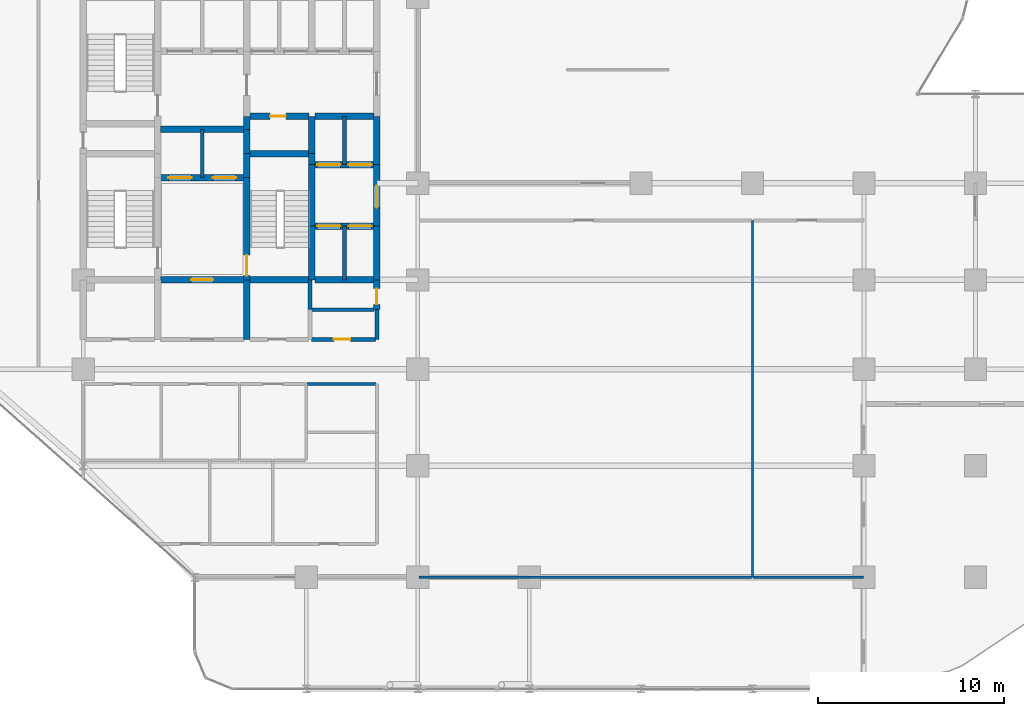
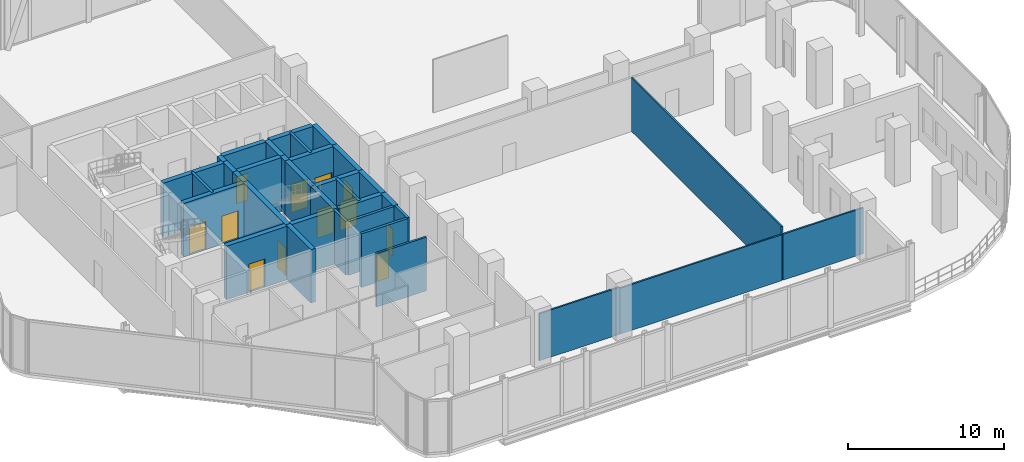
# One storey, part 27 of 30: 35 walls, 12 doors, 12 openings.
"""IFC4 building model written with IfcOpenShell, lengths in metres."""

from ifc_helpers import new_model, si_unit, direction, frame, frame_2d, origin, place, context, subcontext, project, spatial, rectangle, extrude, material, layer, layer_set, type_object, element, fill, save


model = new_model("IFC4")

# Units and contexts
model_context = context("Model", 3, precision=1e-05, world=origin(), true_north=direction((0.0, 1.0)))
body_context = subcontext(model_context, "Body", "Model", "MODEL_VIEW")
ifc_project = project(units=[si_unit("LENGTHUNIT", "METRE"), si_unit("AREAUNIT", "SQUARE_METRE"), si_unit("VOLUMEUNIT", "CUBIC_METRE"), si_unit("PLANEANGLEUNIT", "RADIAN"), si_unit("MASSUNIT", "GRAM", prefix="KILO")], contexts=[model_context])

# Site, building, storey
site_placement = place(None, origin())
site = spatial("IfcSite", under=ifc_project, at=site_placement, CompositionType="ELEMENT")
building_placement = place(site_placement, origin())
building = spatial("IfcBuilding", under=site, at=building_placement, Name="Keshet Zoharim Tower", CompositionType="ELEMENT")
storey_placement = place(building_placement, frame((0.0, 0.0, 65.60009765625)))
storey = spatial("IfcBuildingStorey", under=building, at=storey_placement, Name="L15", CompositionType="ELEMENT", Elevation=65.60009765625)

# Walls
ifc_material_1 = material(Name="Gypsum Plasterboard", Category="gypsum")
ifc_layer_1 = layer(ifc_material_1, 0.14990234375)
ifc_layer_set_1 = layer_set([ifc_layer_1], Name="Gypsum Plasterboard")
wall_type_1 = type_object("IfcWallType", Name="WL-CLIN-150", PredefinedType="STANDARD", material=ifc_layer_set_1)
wall_1_placement = place(storey_placement, frame((27.044921875, 17.10009765625, 0.0), z_axis=(0.0, 0.0, 1.0), x_axis=(1.0, 0.0, 0.0)))
element("IfcWall", 1, at=wall_1_placement, inside=storey, type_object=wall_type_1, Name="L15 Interior Wall 068", PredefinedType="STANDARD", context=body_context, shape_type="SweptSolid", body=[
    extrude(rectangle(XDim=3.695068359375, YDim=0.14990234375, at=frame_2d((1.84765625, 0.0))), origin(), (0.0, 0.0, 1.0), 4.184814453125),
])
ifc_material_2 = material(Name="Concrete C60/75", Category="concrete")
ifc_layer_2 = layer(ifc_material_2, 0.35009765625)
ifc_layer_set_2 = layer_set([ifc_layer_2], Name="Concrete C60/75")
wall_type_2 = type_object("IfcWallType", Name="WL-CORE-350", PredefinedType="SHEAR", material=ifc_layer_set_2)
wall_2_placement = place(storey_placement, frame((23.800048828125, 19.5, 0.0), z_axis=(0.0, 0.0, 1.0), x_axis=(0.0, 1.0, 0.0)))
element("IfcWall", 2, at=wall_2_placement, inside=storey, type_object=wall_type_2, Name="L15 Core Shear Wall 020", PredefinedType="SHEAR", context=body_context, shape_type="SweptSolid", body=[
    extrude(rectangle(XDim=3.199951171875, YDim=0.35009765625, at=frame_2d((1.60009765625, 0.0))), origin(), (0.0, 0.0, 1.0), 4.184814453125),
])

# Wall, opening, door
wall_3_placement = place(storey_placement, frame((23.800048828125, 22.699951171875, 0.0), z_axis=(0.0, 0.0, 1.0), x_axis=(0.0, 1.0, 0.0)))
wall_3 = element("IfcWall", 3, at=wall_3_placement, inside=storey, type_object=wall_type_2, Name="L15 Core Shear Wall 021", PredefinedType="SHEAR", context=body_context, shape_type="SweptSolid", body=[
    extrude(rectangle(XDim=5.5, YDim=0.35009765625, at=frame_2d((2.75, 0.0))), origin(), (0.0, 0.0, 1.0), 4.184814453125),
])
opening_1_placement = place(wall_3_placement, frame((0.235107421875, 0.0, 0.0)))
opening_1 = element("IfcOpeningElement", 4, at=opening_1_placement, cuts=wall_3, Name="Opening D-F611", PredefinedType="OPENING", context=body_context, shape_type="SweptSolid", body=[
    extrude(rectangle(XDim=1.10009765625, YDim=2.14990234375, at=frame_2d((0.550048828125, 1.074951171875))), frame((0.0, 0.18505859375, 0.0), z_axis=(0.0, -1.0, 0.0), x_axis=(1.0, 0.0, 0.0)), (0.0, 0.0, 1.0), 0.3701171875),
])
ifc_material_3 = material(Name="Hardwood Timber", Category="wood")
door_type_1 = type_object("IfcDoorType", Name="DR-FD60-110", OperationType="NOTDEFINED", PredefinedType="DOOR", material=ifc_material_3)
door_1_placement = place(opening_1_placement, frame((1.10009765625, 0.0, 0.0), z_axis=(0.0, 0.0, 1.0), x_axis=(-1.0, 0.0, 0.0)))
door_1 = element("IfcDoor", 5, at=door_1_placement, inside=storey, type_object=door_type_1, Name="L15 Exit Stair ST-03 Fire Door", OperationType="SINGLE_SWING_LEFT", OverallHeight=2.14990234375, OverallWidth=1.10009765625, PredefinedType="DOOR", context=body_context, shape_type="SweptSolid", body=[
    extrude(rectangle(XDim=1.10009765625, YDim=2.14990234375, at=frame_2d((0.550048828125, 1.074951171875))), frame((0.0, 0.02490234375, 0.0), z_axis=(0.0, -1.0, 0.0), x_axis=(1.0, 0.0, 0.0)), (0.0, 0.0, 1.0), 0.050048828125),
])
fill(opening_1, door_1)

# Walls
for number, where, z_axis, x_axis, name in (
    (6, (23.800048828125, 28.199951171875, 0.0), (0.0, 0.0, 1.0), (0.0, 1.0, 0.0), "L15 Core Shear Wall 022"),
    (7, (23.800048828125, 29.5, 0.0), (0.0, 0.0, 1.0), (0.0, 1.0, 0.0), "L15 Core Shear Wall 023"),
):
    element("IfcWall", number, at=place(storey_placement, frame(where, z_axis=z_axis, x_axis=x_axis)), inside=storey, type_object=wall_type_2, Name=name, PredefinedType="SHEAR", context=body_context, shape_type="SweptSolid", body=[
        extrude(rectangle(XDim=1.300048828125, YDim=0.35009765625, at=frame_2d((0.64990234375, 0.0))), origin(), (0.0, 0.0, 1.0), 4.184814453125),
    ])
wall_4_placement = place(storey_placement, frame((23.800048828125, 30.800048828125, 0.0), z_axis=(0.0, 0.0, 1.0), x_axis=(0.0, 1.0, 0.0)))
element("IfcWall", 8, at=wall_4_placement, inside=storey, type_object=wall_type_2, Name="L15 Core Shear Wall 024", PredefinedType="SHEAR", context=body_context, shape_type="SweptSolid", body=[
    extrude(rectangle(XDim=0.699951171875, YDim=0.35009765625, at=frame_2d((0.35009765625, 0.0))), origin(), (0.0, 0.0, 1.0), 4.184814453125),
])
wall_5_placement = place(storey_placement, frame((27.300048828125, 22.699951171875, 0.0), z_axis=(0.0, 0.0, 1.0), x_axis=(0.0, 1.0, 0.0)))
element("IfcWall", 9, at=wall_5_placement, inside=storey, type_object=wall_type_2, Name="L15 Core Shear Wall 033", PredefinedType="SHEAR", context=body_context, shape_type="SweptSolid", body=[
    extrude(rectangle(XDim=2.900146484375, YDim=0.35009765625, at=frame_2d((1.4501953125, 0.0))), origin(), (0.0, 0.0, 1.0), 4.184814453125),
])
wall_6_placement = place(storey_placement, frame((27.300048828125, 25.60009765625, 0.0), z_axis=(0.0, 0.0, 1.0), x_axis=(0.0, 1.0, 0.0)))
element("IfcWall", 10, at=wall_6_placement, inside=storey, type_object=wall_type_2, Name="L15 Core Shear Wall 034", PredefinedType="SHEAR", context=body_context, shape_type="SweptSolid", body=[
    extrude(rectangle(XDim=3.2998046875, YDim=0.35009765625, at=frame_2d((1.64990234375, 0.0))), origin(), (0.0, 0.0, 1.0), 4.184814453125),
])
wall_7_placement = place(storey_placement, frame((27.300048828125, 28.89990234375, 0.0), z_axis=(0.0, 0.0, 1.0), x_axis=(0.0, 1.0, 0.0)))
element("IfcWall", 11, at=wall_7_placement, inside=storey, type_object=wall_type_2, Name="L15 Core Shear Wall 035", PredefinedType="SHEAR", context=body_context, shape_type="SweptSolid", body=[
    extrude(rectangle(XDim=0.60009765625, YDim=0.35009765625, at=frame_2d((0.300048828125, 0.0))), origin(), (0.0, 0.0, 1.0), 4.184814453125),
])
wall_8_placement = place(storey_placement, frame((27.300048828125, 29.5, 0.0), z_axis=(0.0, 0.0, 1.0), x_axis=(0.0, 1.0, 0.0)))
element("IfcWall", 12, at=wall_8_placement, inside=storey, type_object=wall_type_2, Name="L15 Core Shear Wall 036", PredefinedType="SHEAR", context=body_context, shape_type="SweptSolid", body=[
    extrude(rectangle(XDim=2.0, YDim=0.35009765625, at=frame_2d((1.0, 0.0))), origin(), (0.0, 0.0, 1.0), 4.184814453125),
])

# Wall, opening, door
wall_9_placement = place(storey_placement, frame((30.800048828125, 21.10009765625, 0.0), z_axis=(0.0, 0.0, 1.0), x_axis=(0.0, 1.0, 0.0)))
wall_9 = element("IfcWall", 13, at=wall_9_placement, inside=storey, type_object=wall_type_2, Name="L15 Core Shear Wall 044", PredefinedType="SHEAR", context=body_context, shape_type="SweptSolid", body=[
    extrude(rectangle(XDim=1.599853515625, YDim=0.35009765625, at=frame_2d((0.7998046875, 0.0))), origin(), (0.0, 0.0, 1.0), 4.184814453125),
])
opening_2_placement = place(wall_9_placement, frame((0.287109375, 0.0, 0.0)))
opening_2 = element("IfcOpeningElement", 14, at=opening_2_placement, cuts=wall_9, Name="Opening D-RS85", PredefinedType="OPENING", context=body_context, shape_type="SweptSolid", body=[
    extrude(rectangle(XDim=0.85009765625, YDim=2.10009765625, at=frame_2d((0.425048828125, 1.050048828125))), frame((0.0, 0.18505859375, 0.0), z_axis=(0.0, -1.0, 0.0), x_axis=(1.0, 0.0, 0.0)), (0.0, 0.0, 1.0), 0.3701171875),
])
door_type_2 = type_object("IfcDoorType", Name="DR-RIS-085", OperationType="NOTDEFINED", PredefinedType="DOOR", material=ifc_material_3)
door_2_placement = place(opening_2_placement, origin())
door_2 = element("IfcDoor", 15, at=door_2_placement, inside=storey, type_object=door_type_2, Name="L15 Linen Store Door", OperationType="SINGLE_SWING_LEFT", OverallHeight=2.10009765625, OverallWidth=0.85009765625, PredefinedType="DOOR", context=body_context, shape_type="SweptSolid", body=[
    extrude(rectangle(XDim=0.85009765625, YDim=2.10009765625, at=frame_2d((0.425048828125, 1.050048828125))), frame((0.0, 0.02490234375, 0.0), z_axis=(0.0, -1.0, 0.0), x_axis=(1.0, 0.0, 0.0)), (0.0, 0.0, 1.0), 0.050048828125),
])
fill(opening_2, door_2)

# Wall
wall_10_placement = place(storey_placement, frame((30.800048828125, 22.699951171875, 0.0), z_axis=(0.0, 0.0, 1.0), x_axis=(0.0, 1.0, 0.0)))
element("IfcWall", 16, at=wall_10_placement, inside=storey, type_object=wall_type_2, Name="L15 Core Shear Wall 045", PredefinedType="SHEAR", context=body_context, shape_type="SweptSolid", body=[
    extrude(rectangle(XDim=2.900146484375, YDim=0.35009765625, at=frame_2d((1.4501953125, 0.0))), origin(), (0.0, 0.0, 1.0), 4.184814453125),
])

# Wall, opening, door
wall_11_placement = place(storey_placement, frame((30.800048828125, 25.60009765625, 0.0), z_axis=(0.0, 0.0, 1.0), x_axis=(0.0, 1.0, 0.0)))
wall_11 = element("IfcWall", 17, at=wall_11_placement, inside=storey, type_object=wall_type_2, Name="L15 Core Shear Wall 046", PredefinedType="SHEAR", context=body_context, shape_type="SweptSolid", body=[
    extrude(rectangle(XDim=3.2998046875, YDim=0.35009765625, at=frame_2d((1.64990234375, 0.0))), origin(), (0.0, 0.0, 1.0), 4.184814453125),
])
opening_3_placement = place(wall_11_placement, frame((0.97802734375, 0.0, 0.0)))
opening_3 = element("IfcOpeningElement", 18, at=opening_3_placement, cuts=wall_11, Name="Opening D-F612", PredefinedType="OPENING", context=body_context, shape_type="SweptSolid", body=[
    extrude(rectangle(XDim=1.199951171875, YDim=2.199951171875, at=frame_2d((0.60009765625, 1.10009765625))), frame((0.0, 0.18505859375, 0.0), z_axis=(0.0, -1.0, 0.0), x_axis=(1.0, 0.0, 0.0)), (0.0, 0.0, 1.0), 0.3701171875),
])
door_type_3 = type_object("IfcDoorType", Name="DR-FD60-120", OperationType="NOTDEFINED", PredefinedType="DOOR", material=ifc_material_3)
door_3_placement = place(opening_3_placement, origin())
door_3 = element("IfcDoor", 19, at=door_3_placement, inside=storey, type_object=door_type_3, Name="L15 East Lift Lobby Fire Door", OperationType="SINGLE_SWING_RIGHT", OverallHeight=2.199951171875, OverallWidth=1.199951171875, PredefinedType="DOOR", context=body_context, shape_type="SweptSolid", body=[
    extrude(rectangle(XDim=1.199951171875, YDim=2.199951171875, at=frame_2d((0.60009765625, 1.10009765625))), frame((0.0, 0.02490234375, 0.0), z_axis=(0.0, -1.0, 0.0), x_axis=(1.0, 0.0, 0.0)), (0.0, 0.0, 1.0), 0.050048828125),
])
fill(opening_3, door_3)

# Wall
wall_12_placement = place(storey_placement, frame((30.800048828125, 28.89990234375, 0.0), z_axis=(0.0, 0.0, 1.0), x_axis=(0.0, 1.0, 0.0)))
element("IfcWall", 20, at=wall_12_placement, inside=storey, type_object=wall_type_2, Name="L15 Core Shear Wall 047", PredefinedType="SHEAR", context=body_context, shape_type="SweptSolid", body=[
    extrude(rectangle(XDim=2.60009765625, YDim=0.35009765625, at=frame_2d((1.300048828125, 0.0))), origin(), (0.0, 0.0, 1.0), 4.184814453125),
])

# Wall, opening, door
wall_13_placement = place(storey_placement, frame((19.159912109375, 22.699951171875, 0.0), z_axis=(0.0, 0.0, 1.0), x_axis=(1.0, 0.0, 0.0)))
wall_13 = element("IfcWall", 21, at=wall_13_placement, inside=storey, type_object=wall_type_2, Name="L15 Core Shear Wall 075", PredefinedType="SHEAR", context=body_context, shape_type="SweptSolid", body=[
    extrude(rectangle(XDim=4.47998046875, YDim=0.35009765625, at=frame_2d((2.239990234375, 0.0))), origin(), (0.0, 0.0, 1.0), 4.184814453125),
])
opening_4_placement = place(wall_13_placement, frame((1.639892578125, 0.0, 0.0)))
opening_4 = element("IfcOpeningElement", 22, at=opening_4_placement, cuts=wall_13, Name="Opening D-F612", PredefinedType="OPENING", context=body_context, shape_type="SweptSolid", body=[
    extrude(rectangle(XDim=1.199951171875, YDim=2.199951171875, at=frame_2d((0.60009765625, 1.10009765625))), frame((0.0, 0.18505859375, 0.0), z_axis=(0.0, -1.0, 0.0), x_axis=(1.0, 0.0, 0.0)), (0.0, 0.0, 1.0), 0.3701171875),
])
door_4_placement = place(opening_4_placement, origin())
door_4 = element("IfcDoor", 23, at=door_4_placement, inside=storey, type_object=door_type_3, Name="L15 South Core Lobby Fire Door", OperationType="SINGLE_SWING_LEFT", OverallHeight=2.199951171875, OverallWidth=1.199951171875, PredefinedType="DOOR", context=body_context, shape_type="SweptSolid", body=[
    extrude(rectangle(XDim=1.199951171875, YDim=2.199951171875, at=frame_2d((0.60009765625, 1.10009765625))), frame((0.0, 0.02490234375, 0.0), z_axis=(0.0, -1.0, 0.0), x_axis=(1.0, 0.0, 0.0)), (0.0, 0.0, 1.0), 0.050048828125),
])
fill(opening_4, door_4)

# Walls
wall_14_placement = place(storey_placement, frame((23.9599609375, 22.699951171875, 0.0), z_axis=(0.0, 0.0, 1.0), x_axis=(1.0, 0.0, 0.0)))
element("IfcWall", 24, at=wall_14_placement, inside=storey, type_object=wall_type_2, Name="L15 Core Shear Wall 076", PredefinedType="SHEAR", context=body_context, shape_type="SweptSolid", body=[
    extrude(rectangle(XDim=3.155029296875, YDim=0.35009765625, at=frame_2d((1.57763671875, 0.0))), origin(), (0.0, 0.0, 1.0), 4.184814453125),
])
wall_15_placement = place(storey_placement, frame((27.4599609375, 22.699951171875, 0.0), z_axis=(0.0, 0.0, 1.0), x_axis=(1.0, 0.0, 0.0)))
element("IfcWall", 25, at=wall_15_placement, inside=storey, type_object=wall_type_2, Name="L15 Core Shear Wall 077", PredefinedType="SHEAR", context=body_context, shape_type="SweptSolid", body=[
    extrude(rectangle(XDim=3.179931640625, YDim=0.35009765625, at=frame_2d((1.58984375, 0.0))), origin(), (0.0, 0.0, 1.0), 4.184814453125),
])

# Wall, openings, doors
wall_16_placement = place(storey_placement, frame((27.4599609375, 25.60009765625, 0.0), z_axis=(0.0, 0.0, 1.0), x_axis=(1.0, 0.0, 0.0)))
wall_16 = element("IfcWall", 26, at=wall_16_placement, inside=storey, type_object=wall_type_2, Name="L15 Core Shear Wall 078", PredefinedType="SHEAR", context=body_context, shape_type="SweptSolid", body=[
    extrude(rectangle(XDim=3.179931640625, YDim=0.35009765625, at=frame_2d((1.58984375, 0.0))), origin(), (0.0, 0.0, 1.0), 4.184814453125),
])
opening_5_placement = place(wall_16_placement, frame((0.1201171875, 0.0, 0.0)))
opening_5 = element("IfcOpeningElement", 27, at=opening_5_placement, cuts=wall_16, Name="Opening LD-01", PredefinedType="OPENING", context=body_context, shape_type="SweptSolid", body=[
    extrude(rectangle(XDim=1.25, YDim=2.199951171875, at=frame_2d((0.625, 1.10009765625))), frame((0.0, 0.18505859375, 0.0), z_axis=(0.0, -1.0, 0.0), x_axis=(1.0, 0.0, 0.0)), (0.0, 0.0, 1.0), 0.3701171875),
])
opening_6_placement = place(wall_16_placement, frame((1.81005859375, 0.0, 0.0)))
opening_6 = element("IfcOpeningElement", 28, at=opening_6_placement, cuts=wall_16, Name="Opening LD-01", PredefinedType="OPENING", context=body_context, shape_type="SweptSolid", body=[
    extrude(rectangle(XDim=1.25, YDim=2.199951171875, at=frame_2d((0.625, 1.10009765625))), frame((0.0, 0.18505859375, 0.0), z_axis=(0.0, -1.0, 0.0), x_axis=(1.0, 0.0, 0.0)), (0.0, 0.0, 1.0), 0.3701171875),
])
ifc_material_4 = material(Name="Steel S355", Category="steel")
door_type_4 = type_object("IfcDoorType", Name="DR-LD01-125", OperationType="DOUBLE_DOOR_SLIDING", PredefinedType="DOOR", material=ifc_material_4)
door_5_placement = place(opening_5_placement, origin())
door_5 = element("IfcDoor", 29, at=door_5_placement, inside=storey, type_object=door_type_4, Name="L15 Passenger Lift Landing Door LF-07", OperationType="DOUBLE_DOOR_SLIDING", OverallHeight=2.199951171875, OverallWidth=1.25, PredefinedType="DOOR", context=body_context, shape_type="SweptSolid", body=[
    extrude(rectangle(XDim=1.25, YDim=2.199951171875, at=frame_2d((0.625, 1.10009765625))), frame((0.0, 0.02490234375, 0.0), z_axis=(0.0, -1.0, 0.0), x_axis=(1.0, 0.0, 0.0)), (0.0, 0.0, 1.0), 0.050048828125),
])
fill(opening_5, door_5)
door_6_placement = place(opening_6_placement, origin())
door_6 = element("IfcDoor", 30, at=door_6_placement, inside=storey, type_object=door_type_4, Name="L15 Passenger Lift Landing Door LF-08", OperationType="DOUBLE_DOOR_SLIDING", OverallHeight=2.199951171875, OverallWidth=1.25, PredefinedType="DOOR", context=body_context, shape_type="SweptSolid", body=[
    extrude(rectangle(XDim=1.25, YDim=2.199951171875, at=frame_2d((0.625, 1.10009765625))), frame((0.0, 0.02490234375, 0.0), z_axis=(0.0, -1.0, 0.0), x_axis=(1.0, 0.0, 0.0)), (0.0, 0.0, 1.0), 0.050048828125),
])
fill(opening_6, door_6)

wall_17_placement = place(storey_placement, frame((19.159912109375, 28.199951171875, 0.0), z_axis=(0.0, 0.0, 1.0), x_axis=(1.0, 0.0, 0.0)))
wall_17 = element("IfcWall", 31, at=wall_17_placement, inside=storey, type_object=wall_type_2, Name="L15 Core Shear Wall 082", PredefinedType="SHEAR", context=body_context, shape_type="SweptSolid", body=[
    extrude(rectangle(XDim=4.47998046875, YDim=0.35009765625, at=frame_2d((2.239990234375, 0.0))), origin(), (0.0, 0.0, 1.0), 4.184814453125),
])
opening_7_placement = place(wall_17_placement, frame((0.4150390625, 0.0, 0.0)))
opening_7 = element("IfcOpeningElement", 32, at=opening_7_placement, cuts=wall_17, Name="Opening LD-01", PredefinedType="OPENING", context=body_context, shape_type="SweptSolid", body=[
    extrude(rectangle(XDim=1.25, YDim=2.199951171875, at=frame_2d((0.625, 1.10009765625))), frame((0.0, 0.18505859375, 0.0), z_axis=(0.0, -1.0, 0.0), x_axis=(1.0, 0.0, 0.0)), (0.0, 0.0, 1.0), 0.3701171875),
])
opening_8_placement = place(wall_17_placement, frame((2.81494140625, 0.0, 0.0)))
opening_8 = element("IfcOpeningElement", 33, at=opening_8_placement, cuts=wall_17, Name="Opening LD-01", PredefinedType="OPENING", context=body_context, shape_type="SweptSolid", body=[
    extrude(rectangle(XDim=1.25, YDim=2.199951171875, at=frame_2d((0.625, 1.10009765625))), frame((0.0, 0.18505859375, 0.0), z_axis=(0.0, -1.0, 0.0), x_axis=(1.0, 0.0, 0.0)), (0.0, 0.0, 1.0), 0.3701171875),
])
door_7_placement = place(opening_7_placement, origin())
door_7 = element("IfcDoor", 34, at=door_7_placement, inside=storey, type_object=door_type_4, Name="L15 Passenger Lift Landing Door LF-09", OperationType="DOUBLE_DOOR_SLIDING", OverallHeight=2.199951171875, OverallWidth=1.25, PredefinedType="DOOR", context=body_context, shape_type="SweptSolid", body=[
    extrude(rectangle(XDim=1.25, YDim=2.199951171875, at=frame_2d((0.625, 1.10009765625))), frame((0.0, 0.02490234375, 0.0), z_axis=(0.0, -1.0, 0.0), x_axis=(1.0, 0.0, 0.0)), (0.0, 0.0, 1.0), 0.050048828125),
])
fill(opening_7, door_7)
door_8_placement = place(opening_8_placement, origin())
door_8 = element("IfcDoor", 35, at=door_8_placement, inside=storey, type_object=door_type_4, Name="L15 Passenger Lift Landing Door LF-10", OperationType="DOUBLE_DOOR_SLIDING", OverallHeight=2.199951171875, OverallWidth=1.25, PredefinedType="DOOR", context=body_context, shape_type="SweptSolid", body=[
    extrude(rectangle(XDim=1.25, YDim=2.199951171875, at=frame_2d((0.625, 1.10009765625))), frame((0.0, 0.02490234375, 0.0), z_axis=(0.0, -1.0, 0.0), x_axis=(1.0, 0.0, 0.0)), (0.0, 0.0, 1.0), 0.050048828125),
])
fill(opening_8, door_8)

wall_18_placement = place(storey_placement, frame((27.4599609375, 28.89990234375, 0.0), z_axis=(0.0, 0.0, 1.0), x_axis=(1.0, 0.0, 0.0)))
wall_18 = element("IfcWall", 36, at=wall_18_placement, inside=storey, type_object=wall_type_2, Name="L15 Core Shear Wall 083", PredefinedType="SHEAR", context=body_context, shape_type="SweptSolid", body=[
    extrude(rectangle(XDim=3.179931640625, YDim=0.35009765625, at=frame_2d((1.58984375, 0.0))), origin(), (0.0, 0.0, 1.0), 4.184814453125),
])
opening_9_placement = place(wall_18_placement, frame((0.1201171875, 0.0, 0.0)))
opening_9 = element("IfcOpeningElement", 37, at=opening_9_placement, cuts=wall_18, Name="Opening LD-01", PredefinedType="OPENING", context=body_context, shape_type="SweptSolid", body=[
    extrude(rectangle(XDim=1.25, YDim=2.199951171875, at=frame_2d((0.625, 1.10009765625))), frame((0.0, 0.18505859375, 0.0), z_axis=(0.0, -1.0, 0.0), x_axis=(1.0, 0.0, 0.0)), (0.0, 0.0, 1.0), 0.3701171875),
])
opening_10_placement = place(wall_18_placement, frame((1.81005859375, 0.0, 0.0)))
opening_10 = element("IfcOpeningElement", 38, at=opening_10_placement, cuts=wall_18, Name="Opening LD-01", PredefinedType="OPENING", context=body_context, shape_type="SweptSolid", body=[
    extrude(rectangle(XDim=1.25, YDim=2.199951171875, at=frame_2d((0.625, 1.10009765625))), frame((0.0, 0.18505859375, 0.0), z_axis=(0.0, -1.0, 0.0), x_axis=(1.0, 0.0, 0.0)), (0.0, 0.0, 1.0), 0.3701171875),
])
door_9_placement = place(opening_9_placement, origin())
door_9 = element("IfcDoor", 39, at=door_9_placement, inside=storey, type_object=door_type_4, Name="L15 Passenger Lift Landing Door LF-05", OperationType="DOUBLE_DOOR_SLIDING", OverallHeight=2.199951171875, OverallWidth=1.25, PredefinedType="DOOR", context=body_context, shape_type="SweptSolid", body=[
    extrude(rectangle(XDim=1.25, YDim=2.199951171875, at=frame_2d((0.625, 1.10009765625))), frame((0.0, 0.02490234375, 0.0), z_axis=(0.0, -1.0, 0.0), x_axis=(1.0, 0.0, 0.0)), (0.0, 0.0, 1.0), 0.050048828125),
])
fill(opening_9, door_9)
door_10_placement = place(opening_10_placement, origin())
door_10 = element("IfcDoor", 40, at=door_10_placement, inside=storey, type_object=door_type_4, Name="L15 Passenger Lift Landing Door LF-06", OperationType="DOUBLE_DOOR_SLIDING", OverallHeight=2.199951171875, OverallWidth=1.25, PredefinedType="DOOR", context=body_context, shape_type="SweptSolid", body=[
    extrude(rectangle(XDim=1.25, YDim=2.199951171875, at=frame_2d((0.625, 1.10009765625))), frame((0.0, 0.02490234375, 0.0), z_axis=(0.0, -1.0, 0.0), x_axis=(1.0, 0.0, 0.0)), (0.0, 0.0, 1.0), 0.050048828125),
])
fill(opening_10, door_10)

# Walls
wall_19_placement = place(storey_placement, frame((23.9599609375, 29.5, 0.0), z_axis=(0.0, 0.0, 1.0), x_axis=(1.0, 0.0, 0.0)))
element("IfcWall", 41, at=wall_19_placement, inside=storey, type_object=wall_type_2, Name="L15 Core Shear Wall 085", PredefinedType="SHEAR", context=body_context, shape_type="SweptSolid", body=[
    extrude(rectangle(XDim=3.179931640625, YDim=0.35009765625, at=frame_2d((1.58984375, 0.0))), origin(), (0.0, 0.0, 1.0), 4.184814453125),
])
wall_20_placement = place(storey_placement, frame((19.159912109375, 30.800048828125, 0.0), z_axis=(0.0, 0.0, 1.0), x_axis=(1.0, 0.0, 0.0)))
element("IfcWall", 42, at=wall_20_placement, inside=storey, type_object=wall_type_2, Name="L15 Core Shear Wall 086", PredefinedType="SHEAR", context=body_context, shape_type="SweptSolid", body=[
    extrude(rectangle(XDim=4.47998046875, YDim=0.35009765625, at=frame_2d((2.239990234375, 0.0))), origin(), (0.0, 0.0, 1.0), 4.184814453125),
])

# Wall, opening, door
wall_21_placement = place(storey_placement, frame((23.9599609375, 31.5, 0.0), z_axis=(0.0, 0.0, 1.0), x_axis=(1.0, 0.0, 0.0)))
wall_21 = element("IfcWall", 43, at=wall_21_placement, inside=storey, type_object=wall_type_2, Name="L15 Core Shear Wall 088", PredefinedType="SHEAR", context=body_context, shape_type="SweptSolid", body=[
    extrude(rectangle(XDim=3.179931640625, YDim=0.35009765625, at=frame_2d((1.58984375, 0.0))), origin(), (0.0, 0.0, 1.0), 4.184814453125),
])
opening_11_placement = place(wall_21_placement, frame((1.093994140625, 0.0, 0.0)))
opening_11 = element("IfcOpeningElement", 44, at=opening_11_placement, cuts=wall_21, Name="Opening D-RS85", PredefinedType="OPENING", context=body_context, shape_type="SweptSolid", body=[
    extrude(rectangle(XDim=0.85009765625, YDim=2.10009765625, at=frame_2d((0.425048828125, 1.050048828125))), frame((0.0, 0.18505859375, 0.0), z_axis=(0.0, -1.0, 0.0), x_axis=(1.0, 0.0, 0.0)), (0.0, 0.0, 1.0), 0.3701171875),
])
door_11_placement = place(opening_11_placement, origin())
door_11 = element("IfcDoor", 45, at=door_11_placement, inside=storey, type_object=door_type_2, Name="L15 Telecom Riser Access Cupboard Door", OperationType="SINGLE_SWING_LEFT", OverallHeight=2.10009765625, OverallWidth=0.85009765625, PredefinedType="DOOR", context=body_context, shape_type="SweptSolid", body=[
    extrude(rectangle(XDim=0.85009765625, YDim=2.10009765625, at=frame_2d((0.425048828125, 1.050048828125))), frame((0.0, 0.02490234375, 0.0), z_axis=(0.0, -1.0, 0.0), x_axis=(1.0, 0.0, 0.0)), (0.0, 0.0, 1.0), 0.050048828125),
])
fill(opening_11, door_11)

# Walls
wall_22_placement = place(storey_placement, frame((27.4599609375, 31.5, 0.0), z_axis=(0.0, 0.0, 1.0), x_axis=(1.0, 0.0, 0.0)))
element("IfcWall", 46, at=wall_22_placement, inside=storey, type_object=wall_type_2, Name="L15 Core Shear Wall 089", PredefinedType="SHEAR", context=body_context, shape_type="SweptSolid", body=[
    extrude(rectangle(XDim=3.179931640625, YDim=0.35009765625, at=frame_2d((1.58984375, 0.0))), origin(), (0.0, 0.0, 1.0), 4.184814453125),
])
ifc_material_5 = material(Name="Concrete C50/60", Category="concrete")
ifc_layer_3 = layer(ifc_material_5, 0.199951171875)
ifc_layer_set_3 = layer_set([ifc_layer_3], Name="Concrete C50/60")
wall_type_3 = type_object("IfcWallType", Name="WL-FIRE-200", PredefinedType="STANDARD", material=ifc_layer_set_3)
wall_23_placement = place(storey_placement, frame((21.39990234375, 28.199951171875, 0.0), z_axis=(0.0, 0.0, 1.0), x_axis=(0.0, 1.0, 0.0)))
element("IfcWall", 47, at=wall_23_placement, inside=storey, type_object=wall_type_3, Name="L15 Interior Wall 016", PredefinedType="STANDARD", context=body_context, shape_type="SweptSolid", body=[
    extrude(rectangle(XDim=2.60009765625, YDim=0.199951171875, at=frame_2d((1.300048828125, 0.0))), origin(), (0.0, 0.0, 1.0), 4.184814453125),
])
wall_24_placement = place(storey_placement, frame((27.199951171875, 21.10009765625, 0.0), z_axis=(0.0, 0.0, 1.0), x_axis=(0.0, 1.0, 0.0)))
element("IfcWall", 48, at=wall_24_placement, inside=storey, type_object=wall_type_3, Name="L15 Interior Wall 032", PredefinedType="STANDARD", context=body_context, shape_type="SweptSolid", body=[
    extrude(rectangle(XDim=1.599853515625, YDim=0.199951171875, at=frame_2d((0.7998046875, 0.0))), origin(), (0.0, 0.0, 1.0), 4.184814453125),
])
wall_25_placement = place(storey_placement, frame((29.050048828125, 22.699951171875, 0.0), z_axis=(0.0, 0.0, 1.0), x_axis=(0.0, 1.0, 0.0)))
element("IfcWall", 49, at=wall_25_placement, inside=storey, type_object=wall_type_3, Name="L15 Interior Wall 038", PredefinedType="STANDARD", context=body_context, shape_type="SweptSolid", body=[
    extrude(rectangle(XDim=2.900146484375, YDim=0.199951171875, at=frame_2d((1.4501953125, 0.0))), origin(), (0.0, 0.0, 1.0), 4.184814453125),
])
wall_26_placement = place(storey_placement, frame((29.050048828125, 28.89990234375, 0.0), z_axis=(0.0, 0.0, 1.0), x_axis=(0.0, 1.0, 0.0)))
element("IfcWall", 50, at=wall_26_placement, inside=storey, type_object=wall_type_3, Name="L15 Interior Wall 039", PredefinedType="STANDARD", context=body_context, shape_type="SweptSolid", body=[
    extrude(rectangle(XDim=2.60009765625, YDim=0.199951171875, at=frame_2d((1.300048828125, 0.0))), origin(), (0.0, 0.0, 1.0), 4.184814453125),
])
wall_27_placement = place(storey_placement, frame((30.800048828125, 19.5, 0.0), z_axis=(0.0, 0.0, 1.0), x_axis=(0.0, 1.0, 0.0)))
element("IfcWall", 51, at=wall_27_placement, inside=storey, type_object=wall_type_3, Name="L15 Interior Wall 043", PredefinedType="STANDARD", context=body_context, shape_type="SweptSolid", body=[
    extrude(rectangle(XDim=1.60009765625, YDim=0.199951171875, at=frame_2d((0.800048828125, 0.0))), origin(), (0.0, 0.0, 1.0), 4.184814453125),
])

# Wall, opening, door
wall_28_placement = place(storey_placement, frame((27.284912109375, 19.5, 0.0), z_axis=(0.0, 0.0, 1.0), x_axis=(1.0, 0.0, 0.0)))
wall_28 = element("IfcWall", 52, at=wall_28_placement, inside=storey, type_object=wall_type_3, Name="L15 Interior Wall 072", PredefinedType="STANDARD", context=body_context, shape_type="SweptSolid", body=[
    extrude(rectangle(XDim=3.43017578125, YDim=0.199951171875, at=frame_2d((1.715087890625, 0.0))), origin(), (0.0, 0.0, 1.0), 4.184814453125),
])
opening_12_placement = place(wall_28_placement, frame((1.19189453125, 0.0, 0.0)))
opening_12 = element("IfcOpeningElement", 53, at=opening_12_placement, cuts=wall_28, Name="Opening D-F690", PredefinedType="OPENING", context=body_context, shape_type="SweptSolid", body=[
    extrude(rectangle(XDim=0.89990234375, YDim=2.14990234375, at=frame_2d((0.449951171875, 1.074951171875))), frame((0.0, 0.10986328125, 0.0), z_axis=(0.0, -1.0, 0.0), x_axis=(1.0, 0.0, 0.0)), (0.0, 0.0, 1.0), 0.219970703125),
])
door_type_5 = type_object("IfcDoorType", Name="DR-FD60-090", OperationType="NOTDEFINED", PredefinedType="DOOR", material=ifc_material_3)
door_12_placement = place(opening_12_placement, origin())
door_12 = element("IfcDoor", 54, at=door_12_placement, inside=storey, type_object=door_type_5, Name="L15 Valve Room Door", OperationType="SINGLE_SWING_RIGHT", OverallHeight=2.14990234375, OverallWidth=0.89990234375, PredefinedType="DOOR", context=body_context, shape_type="SweptSolid", body=[
    extrude(rectangle(XDim=0.89990234375, YDim=2.14990234375, at=frame_2d((0.449951171875, 1.074951171875))), frame((0.0, 0.02490234375, 0.0), z_axis=(0.0, -1.0, 0.0), x_axis=(1.0, 0.0, 0.0)), (0.0, 0.0, 1.0), 0.050048828125),
])
fill(opening_12, door_12)

# Walls
wall_29_placement = place(storey_placement, frame((27.284912109375, 21.10009765625, 0.0), z_axis=(0.0, 0.0, 1.0), x_axis=(1.0, 0.0, 0.0)))
element("IfcWall", 55, at=wall_29_placement, inside=storey, type_object=wall_type_3, Name="L15 Interior Wall 073", PredefinedType="STANDARD", context=body_context, shape_type="SweptSolid", body=[
    extrude(rectangle(XDim=3.35498046875, YDim=0.199951171875, at=frame_2d((1.677490234375, 0.0))), origin(), (0.0, 0.0, 1.0), 4.184814453125),
])
ifc_layer_4 = layer(ifc_material_1, 0.1201171875)
ifc_layer_set_4 = layer_set([ifc_layer_4], Name="Gypsum Plasterboard")
wall_type_4 = type_object("IfcWallType", Name="WL-PART-120", PredefinedType="PARTITIONING", material=ifc_layer_set_4)
wall_30_placement = place(storey_placement, frame((51.0, 6.699951171875, 0.0), z_axis=(0.0, 0.0, 1.0), x_axis=(0.0, 1.0, 0.0)))
element("IfcWall", 56, at=wall_30_placement, inside=storey, type_object=wall_type_4, Name="L15 Interior Wall 053", PredefinedType="PARTITIONING", context=body_context, shape_type="SweptSolid", body=[
    extrude(rectangle(XDim=19.199951171875, YDim=0.1201171875, at=frame_2d((9.60009765625, 0.0))), origin(), (0.0, 0.0, 1.0), 4.184814453125),
])
wall_31_placement = place(storey_placement, frame((33.06005859375, 6.699951171875, 0.0), z_axis=(0.0, 0.0, 1.0), x_axis=(1.0, 0.0, 0.0)))
element("IfcWall", 57, at=wall_31_placement, inside=storey, type_object=wall_type_4, Name="L15 Interior Wall 056", PredefinedType="PARTITIONING", context=body_context, shape_type="SweptSolid", body=[
    extrude(rectangle(XDim=5.93994140625, YDim=0.1201171875, at=frame_2d((2.969970703125, 0.0))), origin(), (0.0, 0.0, 1.0), 3.684814453125),
])
wall_32_placement = place(storey_placement, frame((51.044921875, 6.699951171875, 0.0), z_axis=(0.0, 0.0, 1.0), x_axis=(1.0, 0.0, 0.0)))
element("IfcWall", 58, at=wall_32_placement, inside=storey, type_object=wall_type_4, Name="L15 Interior Wall 057", PredefinedType="PARTITIONING", context=body_context, shape_type="SweptSolid", body=[
    extrude(rectangle(XDim=5.925048828125, YDim=0.1201171875, at=frame_2d((2.96240234375, 0.0))), origin(), (0.0, 0.0, 1.0), 3.5849609375),
])
wall_33_placement = place(storey_placement, frame((39.0, 6.699951171875, 0.0), z_axis=(0.0, 0.0, 1.0), x_axis=(1.0, 0.0, 0.0)))
element("IfcWall", 59, at=wall_33_placement, inside=storey, type_object=wall_type_4, Name="L15 Interior Wall 056 Part 2", PredefinedType="PARTITIONING", context=body_context, shape_type="SweptSolid", body=[
    extrude(rectangle(XDim=11.955078125, YDim=0.1201171875, at=frame_2d((5.9775390625, 0.0))), origin(), (0.0, 0.0, 1.0), 3.5849609375),
])

save(model, "model.ifc")
